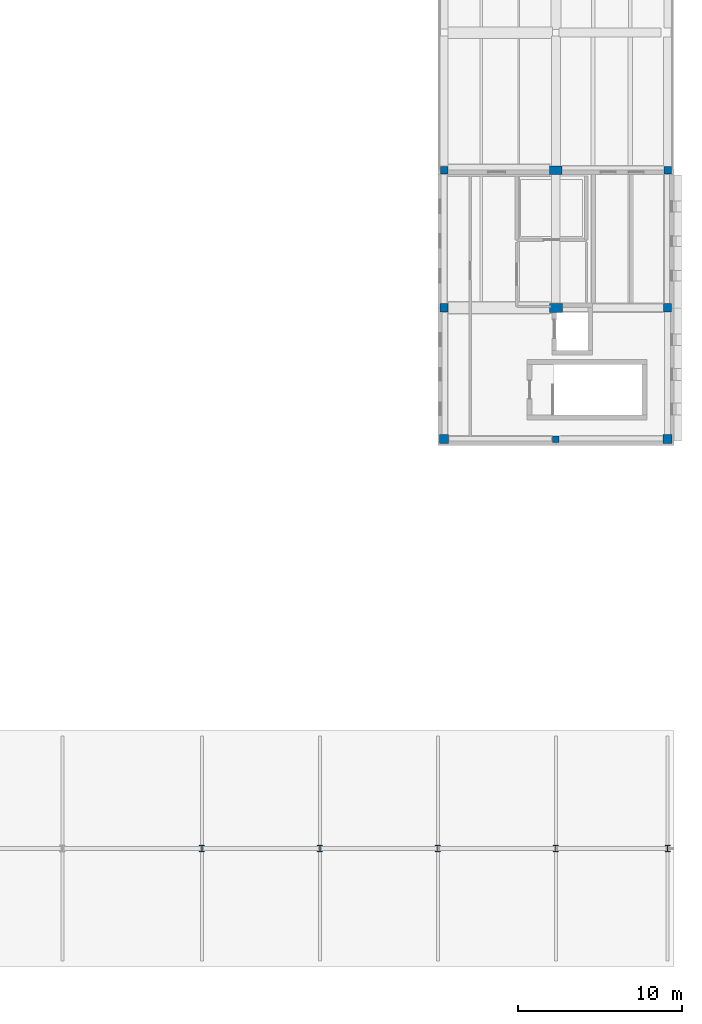
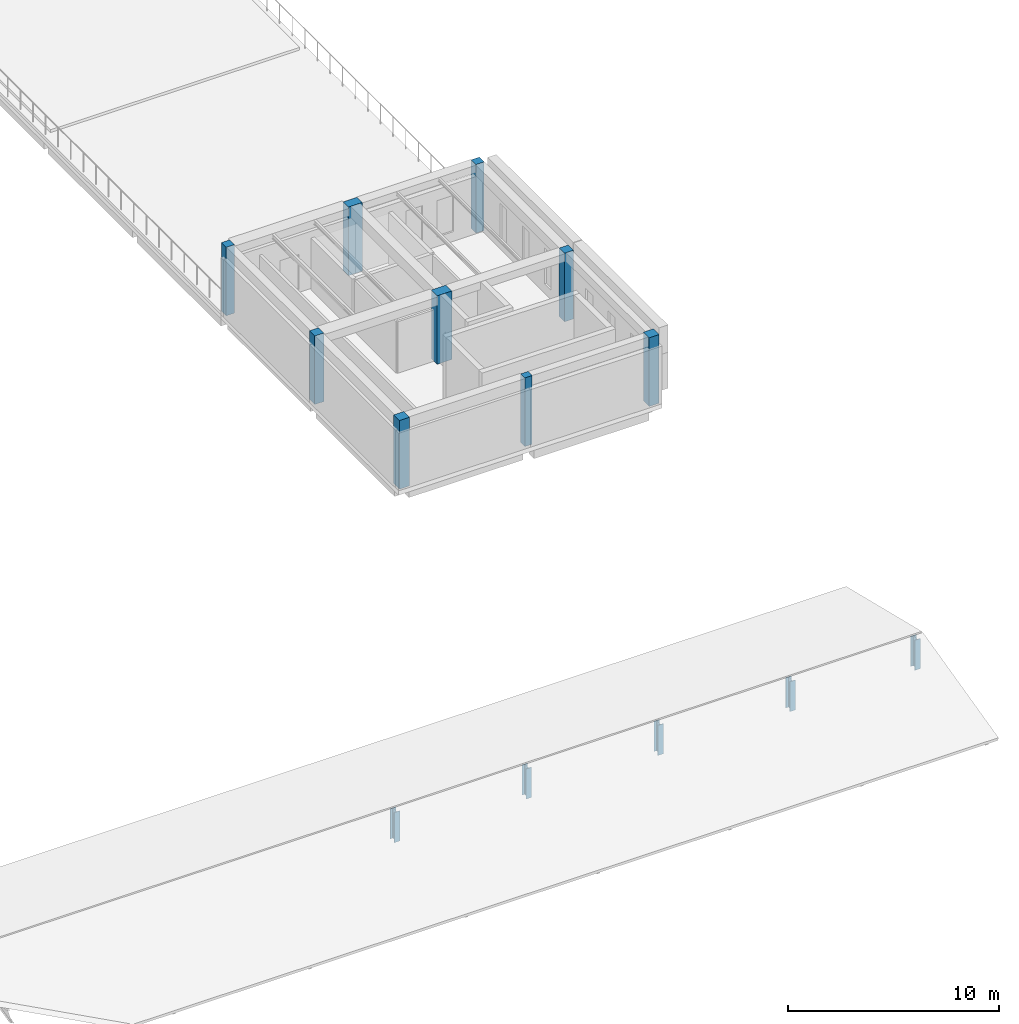
# One storey, part 4 of 34: 14 columns.
"""IFC4 building model written with IfcOpenShell, lengths in metres."""

import ifcopenshell
import ifcopenshell.guid

model = None  # the IFC model being written
_history = None  # IfcOwnerHistory: only IFC2X3 demands one
_inside = {}  # id of a spatial element -> (the spatial element, [elements in it])
_under = {}  # id of a project, library or spatial element -> (it, [spatial elements below it])
_declared = {}  # id of a project -> (the project, [libraries it declares])
_typed = {}  # id of a type object -> (the type object, [elements of that type])
_made_of = {}  # id of a material, layer set ... -> (it, [elements and type objects made of it])


def new_model(schema):
    """Start an empty IFC model of exactly this schema.

    Asked for "IFC4X3", IfcOpenShell would pick the latest addendum, in which some entities
    have other attributes; the version numbers below select the first issue.
    IFC2X3 requires an IfcOwnerHistory on every rooted entity: one is made here for all.
    """
    global model, _history
    if schema == "IFC4X3":
        model = ifcopenshell.file(schema_version=(4, 3, 0, 0))
    else:
        model = ifcopenshell.file(schema=schema)
    _inside.clear()
    _under.clear()
    _declared.clear()
    _typed.clear()
    _made_of.clear()
    _history = None
    if model.schema == "IFC2X3":
        org = make("IfcOrganization", Name="unknown")
        user = make(
            "IfcPersonAndOrganization",
            ThePerson=make("IfcPerson", FamilyName="unknown"),
            TheOrganization=org,
        )
        app = make(
            "IfcApplication",
            ApplicationDeveloper=org,
            Version="unknown",
            ApplicationFullName="unknown",
            ApplicationIdentifier="unknown",
        )
        _history = make(
            "IfcOwnerHistory",
            OwningUser=user,
            OwningApplication=app,
            ChangeAction="ADDED",
            CreationDate=0,
        )
    return model


def make(cls, **values):
    """One entity of the class cls with the attributes given. An attribute that is None is left unset."""
    return model.create_entity(
        cls, **{name: value for name, value in values.items() if value is not None}
    )


def rooted(cls, **values):
    """An entity with a GlobalId (a new one), such as an element, a storey or a relation."""
    return make(cls, GlobalId=ifcopenshell.guid.new(), OwnerHistory=_history, **values)


def si_unit(unit_type, name, prefix=None):
    """IfcSIUnit, for example si_unit("LENGTHUNIT", "METRE", prefix="MILLI")."""
    return make("IfcSIUnit", UnitType=unit_type, Prefix=prefix, Name=name)


def assignment(units):
    """IfcUnitAssignment: the units of a project."""
    return None if units is None else make("IfcUnitAssignment", Units=units)


def point(xyz):
    """IfcCartesianPoint."""
    return None if xyz is None else make("IfcCartesianPoint", Coordinates=xyz)


def direction(xyz):
    """IfcDirection."""
    return None if xyz is None else make("IfcDirection", DirectionRatios=xyz)


def frame(location, z_axis=None, x_axis=None):
    """IfcAxis2Placement3D, a coordinate frame: its origin and axes. An axis left out is left unset."""
    return make(
        "IfcAxis2Placement3D",
        Location=point(location),
        Axis=direction(z_axis),
        RefDirection=direction(x_axis),
    )


def frame_2d(location, x_axis=None):
    """IfcAxis2Placement2D, a coordinate frame in the plane: its origin and x axis."""
    return make(
        "IfcAxis2Placement2D", Location=point(location), RefDirection=direction(x_axis)
    )


def origin():
    """The frame at (0, 0, 0) with its axes left unset."""
    return frame((0.0, 0.0, 0.0))


def origin_2d():
    """The frame at (0, 0) in the plane with its x axis left unset."""
    return frame_2d((0.0, 0.0))


def place(relative_to, where):
    """IfcLocalPlacement: puts the frame where relative to a parent placement (None: the world)."""
    return make(
        "IfcLocalPlacement", PlacementRelTo=relative_to, RelativePlacement=where
    )


def context(
    kind, dimensions, precision=None, world=None, true_north=None, identifier=None
):
    """IfcGeometricRepresentationContext, for example the 3D "Model" context."""
    return make(
        "IfcGeometricRepresentationContext",
        ContextIdentifier=identifier,
        ContextType=kind,
        CoordinateSpaceDimension=dimensions,
        Precision=precision,
        WorldCoordinateSystem=world,
        TrueNorth=true_north,
    )


def subcontext(parent, identifier, kind, view, scale=None):
    """IfcGeometricRepresentationSubContext, for example "Body" below "Model"."""
    return make(
        "IfcGeometricRepresentationSubContext",
        ContextIdentifier=identifier,
        ContextType=kind,
        ParentContext=parent,
        TargetScale=scale,
        TargetView=view,
    )


def project(units=None, contexts=None):
    """IfcProject with its units and contexts."""
    return rooted(
        "IfcProject",
        Name="project",
        RepresentationContexts=contexts,
        UnitsInContext=assignment(units),
    )


def spatial(cls, under=None, at=None, **own):
    """A site, building, storey or space (cls), placed at a placement, below another one or the project."""
    s = rooted(cls, ObjectPlacement=at, **own)
    if under is not None:
        _under.setdefault(under.id(), (under, []))[1].append(s)
    return s


def profile(cls, at=None, kind="AREA", **sizes):
    """A parametric profile (cls). Its sizes go by their IFC names, for example OverallWidth=200.0."""
    return make(cls, ProfileType=kind, Position=at, **sizes)


def rectangle(**sizes):
    """IfcRectangleProfileDef."""
    return profile("IfcRectangleProfileDef", **sizes)


def i_section(**sizes):
    """IfcIShapeProfileDef."""
    return profile("IfcIShapeProfileDef", **sizes)


def extrude(swept, where, along, depth):
    """IfcExtrudedAreaSolid: the profile swept, set in the frame where, extruded along a direction by depth."""
    return make(
        "IfcExtrudedAreaSolid",
        SweptArea=swept,
        Position=where,
        ExtrudedDirection=direction(along),
        Depth=depth,
    )


def shape(context_of_items, identifier, shape_type, items):
    """IfcShapeRepresentation: the items that make up one representation, for example the "Body"."""
    return make(
        "IfcShapeRepresentation",
        ContextOfItems=context_of_items,
        RepresentationIdentifier=identifier,
        RepresentationType=shape_type,
        Items=items,
    )


def material(Name=None, Category=None):
    """IfcMaterial."""
    return make("IfcMaterial", Name=Name, Category=Category)


def material_profile(
    of_material, cross_section, Name=None, Category=None, Priority=None
):
    """IfcMaterialProfile: a cross section and its material."""
    return make(
        "IfcMaterialProfile",
        Name=Name,
        Material=of_material,
        Profile=cross_section,
        Priority=Priority,
        Category=Category,
    )


def profile_set(profiles, Name=None, composite=None):
    """IfcMaterialProfileSet."""
    return make(
        "IfcMaterialProfileSet",
        Name=Name,
        MaterialProfiles=profiles,
        CompositeProfile=composite,
    )


def made_of(thing, what):
    """Note that an element or type object is made of a material, layer set ...; save() writes the relation."""
    if what is not None:
        _made_of.setdefault(what.id(), (what, []))[1].append(thing)
    return thing


def type_object(cls, material=None, **own):
    """A type object (cls), such as IfcWallType, which elements share."""
    return made_of(rooted(cls, **own), material)


def element(
    cls,
    number,
    at=None,
    inside=None,
    cuts=None,
    type_object=None,
    material=None,
    context=None,
    identifier="Body",
    shape_type=None,
    held_by="IfcProductDefinitionShape",
    body=None,
    shapes=None,
    **own,
):
    """One element of the class cls, such as IfcWall. Its Tag is "e" and its number.

    at: its placement. inside: the storey or other place that contains it. cuts: it is an
    opening in that element (IfcRelVoidsElement). A single representation is given by context,
    identifier, shape_type and body (its items); several are given by shapes. held_by: the class
    of the entity that holds the representations. save() writes the other relations.
    """
    e = rooted(cls, Tag="e%d" % number, ObjectPlacement=at, **own)
    if body is not None:
        shapes = [shape(context, identifier, shape_type, body)]
    if shapes is not None:
        e.Representation = make(held_by, Representations=shapes)
    if inside is not None:
        _inside.setdefault(inside.id(), (inside, []))[1].append(e)
    if cuts is not None:
        rooted(
            "IfcRelVoidsElement", RelatingBuildingElement=cuts, RelatedOpeningElement=e
        )
    if type_object is not None:
        _typed.setdefault(type_object.id(), (type_object, []))[1].append(e)
    return made_of(e, material)


def aggregate(whole, parts):
    """IfcRelAggregates: a whole, such as a stair, and the parts it consists of."""
    return rooted("IfcRelAggregates", RelatingObject=whole, RelatedObjects=parts)


def save(model, path):
    """Write the relations noted so far, then the file.

    IfcRelAggregates (storeys below a building ...), IfcRelContainedInSpatialStructure (elements
    in a storey), IfcRelDefinesByType, IfcRelAssociatesMaterial and IfcRelDeclares: one each for
    every whole, place, type object, material and project.
    """
    for whole, parts in _under.values():
        aggregate(whole, parts)
    for where, things in _inside.values():
        rooted(
            "IfcRelContainedInSpatialStructure",
            RelatedElements=things,
            RelatingStructure=where,
        )
    for kind, things in _typed.values():
        rooted("IfcRelDefinesByType", RelatedObjects=things, RelatingType=kind)
    for what, things in _made_of.values():
        rooted("IfcRelAssociatesMaterial", RelatedObjects=things, RelatingMaterial=what)
    for by, libraries in _declared.values():
        rooted("IfcRelDeclares", RelatingContext=by, RelatedDefinitions=libraries)
    model.write(path)


model = new_model("IFC4")

# Units and contexts
model_context = context("Model", 3, precision=1e-05, world=origin(), true_north=direction((0.0, 1.0)))
body_context = subcontext(model_context, "Body", "Model", "MODEL_VIEW")
ifc_project = project(units=[si_unit("LENGTHUNIT", "METRE"), si_unit("AREAUNIT", "SQUARE_METRE"), si_unit("VOLUMEUNIT", "CUBIC_METRE"), si_unit("PLANEANGLEUNIT", "RADIAN"), si_unit("MASSUNIT", "GRAM", prefix="KILO")], contexts=[model_context])

# Site, building, storey
site_placement = place(None, origin())
site = spatial("IfcSite", under=ifc_project, at=site_placement, CompositionType="ELEMENT")
building_placement = place(site_placement, origin())
building = spatial("IfcBuilding", under=site, at=building_placement, Name="Vardoun Plaza Health Centre", CompositionType="ELEMENT")
storey_placement = place(building_placement, frame((0.0, 0.0, 12.89990234375)))
storey = spatial("IfcBuildingStorey", under=building, at=storey_placement, Name="L03", CompositionType="ELEMENT", Elevation=12.89990234375)

# Columns
ifc_material_1 = material(Name="Concrete C40/50", Category="concrete")
ifc_material_profile_1 = material_profile(ifc_material_1, rectangle(XDim=0.39990234375, YDim=0.39990234375, at=origin_2d()), Name="RC-COL 400x400")
ifc_profile_set_1 = profile_set([ifc_material_profile_1], Name="Concrete C40/50")
column_type_1 = type_object("IfcColumnType", Name="C-08", PredefinedType="COLUMN", material=ifc_profile_set_1)
column_1_placement = place(storey_placement, frame((158.10009765625, 36.679931640625, 0.0), z_axis=(0.0, 0.0, 1.0), x_axis=(1.0, 0.0, 0.0)))
element("IfcColumn", 1, at=column_1_placement, inside=storey, type_object=column_type_1, Name="V6 L03 Column C-V6-04", PredefinedType="COLUMN", context=body_context, shape_type="SweptSolid", body=[
    extrude(rectangle(XDim=0.39990234375, YDim=0.39990234375, at=origin_2d()), origin(), (0.0, 0.0, 1.0), 3.960205078125),
])
ifc_material_2 = material(Name="Concrete C40/50", Category="concrete")
ifc_material_profile_2 = material_profile(ifc_material_2, rectangle(XDim=0.449951171875, YDim=0.449951171875, at=origin_2d()), Name="RC-COL 450x450")
ifc_profile_set_2 = profile_set([ifc_material_profile_2], Name="Concrete C40/50")
column_type_2 = type_object("IfcColumnType", Name="C-07", PredefinedType="COLUMN", material=ifc_profile_set_2)
for number, where, z_axis, x_axis, name in (
    (2, (151.280029296875, 53.10009765625, 0.0), (0.0, 0.0, 1.0), (1.0, 0.0, 0.0), "V6 L03 Column C-V6-03"),
    (3, (164.919921875, 53.10009765625, 0.0), (0.0, 0.0, 1.0), (1.0, 0.0, 0.0), "V6 L03 Column C-V6-09"),
):
    element("IfcColumn", number, at=place(storey_placement, frame(where, z_axis=z_axis, x_axis=x_axis)), inside=storey, type_object=column_type_2, Name=name, PredefinedType="COLUMN", context=body_context, shape_type="SweptSolid", body=[
        extrude(rectangle(XDim=0.449951171875, YDim=0.449951171875, at=origin_2d()), origin(), (0.0, 0.0, 1.0), 3.960205078125),
    ])
ifc_material_3 = material(Name="Concrete C40/50", Category="concrete")
ifc_material_profile_3 = material_profile(ifc_material_3, rectangle(XDim=0.5, YDim=0.5, at=origin_2d()), Name="RC-COL 500x500")
ifc_profile_set_3 = profile_set([ifc_material_profile_3], Name="Concrete C40/50")
column_type_3 = type_object("IfcColumnType", Name="C-06", PredefinedType="COLUMN", material=ifc_profile_set_3)
for number, where, z_axis, x_axis, name in (
    (4, (151.280029296875, 44.699951171875, 0.0), (0.0, 0.0, 1.0), (1.0, 0.0, 0.0), "V6 L03 Column C-V6-02"),
    (5, (164.919921875, 44.699951171875, 0.0), (0.0, 0.0, 1.0), (1.0, 0.0, 0.0), "V6 L03 Column C-V6-08"),
):
    element("IfcColumn", number, at=place(storey_placement, frame(where, z_axis=z_axis, x_axis=x_axis)), inside=storey, type_object=column_type_3, Name=name, PredefinedType="COLUMN", context=body_context, shape_type="SweptSolid", body=[
        extrude(rectangle(XDim=0.5, YDim=0.5, at=origin_2d()), origin(), (0.0, 0.0, 1.0), 3.960205078125),
    ])
ifc_material_4 = material(Name="Concrete C40/50", Category="concrete")
ifc_material_profile_4 = material_profile(ifc_material_4, rectangle(XDim=0.550048828125, YDim=0.550048828125, at=origin_2d()), Name="RC-COL 550x550")
ifc_profile_set_4 = profile_set([ifc_material_profile_4], Name="Concrete C40/50")
column_type_4 = type_object("IfcColumnType", Name="C-05", PredefinedType="COLUMN", material=ifc_profile_set_4)
for number, where, z_axis, x_axis, name in (
    (6, (151.280029296875, 36.679931640625, 0.0), (0.0, 0.0, 1.0), (1.0, 0.0, 0.0), "V6 L03 Column C-V6-01"),
    (7, (164.919921875, 36.679931640625, 0.0), (0.0, 0.0, 1.0), (1.0, 0.0, 0.0), "V6 L03 Column C-V6-07"),
):
    element("IfcColumn", number, at=place(storey_placement, frame(where, z_axis=z_axis, x_axis=x_axis)), inside=storey, type_object=column_type_4, Name=name, PredefinedType="COLUMN", context=body_context, shape_type="SweptSolid", body=[
        extrude(rectangle(XDim=0.550048828125, YDim=0.550048828125, at=origin_2d()), origin(), (0.0, 0.0, 1.0), 3.960205078125),
    ])
ifc_material_5 = material(Name="Concrete C40/50", Category="concrete")
ifc_material_profile_5 = material_profile(ifc_material_5, rectangle(XDim=0.75, YDim=0.5, at=origin_2d()), Name="RC-COL 750x500")
ifc_profile_set_5 = profile_set([ifc_material_profile_5], Name="Concrete C40/50")
column_type_5 = type_object("IfcColumnType", Name="C-10", PredefinedType="COLUMN", material=ifc_profile_set_5)
column_2_placement = place(storey_placement, frame((158.10009765625, 53.10009765625, 0.0), z_axis=(0.0, 0.0, 1.0), x_axis=(1.0, 0.0, 0.0)))
element("IfcColumn", 8, at=column_2_placement, inside=storey, type_object=column_type_5, Name="V6 L03 Column C-V6-06", PredefinedType="COLUMN", context=body_context, shape_type="SweptSolid", body=[
    extrude(rectangle(XDim=0.75, YDim=0.5, at=origin_2d()), origin(), (0.0, 0.0, 1.0), 3.960205078125),
])
ifc_material_6 = material(Name="Concrete C40/50", Category="concrete")
ifc_material_profile_6 = material_profile(ifc_material_6, rectangle(XDim=0.800048828125, YDim=0.550048828125, at=origin_2d()), Name="RC-COL 800x550")
ifc_profile_set_6 = profile_set([ifc_material_profile_6], Name="Concrete C40/50")
column_type_6 = type_object("IfcColumnType", Name="C-09", PredefinedType="COLUMN", material=ifc_profile_set_6)
column_3_placement = place(storey_placement, frame((158.10009765625, 44.699951171875, 0.0), z_axis=(0.0, 0.0, 1.0), x_axis=(1.0, 0.0, 0.0)))
element("IfcColumn", 9, at=column_3_placement, inside=storey, type_object=column_type_6, Name="V6 L03 Column C-V6-05", PredefinedType="COLUMN", context=body_context, shape_type="SweptSolid", body=[
    extrude(rectangle(XDim=0.800048828125, YDim=0.550048828125, at=origin_2d()), origin(), (0.0, 0.0, 1.0), 3.960205078125),
])
ifc_material_7 = material(Name="Steel S355J2", Category="steel")
ifc_material_profile_7 = material_profile(ifc_material_7, i_section(OverallWidth=0.300048828125, OverallDepth=0.39990234375, WebThickness=0.013427734375, FlangeThickness=0.02392578125, FilletRadius=0.027099609375, at=origin_2d()), Name="HEB 400")
ifc_profile_set_7 = profile_set([ifc_material_profile_7], Name="Steel S355J2")
column_type_7 = type_object("IfcColumnType", Name="C-17", PredefinedType="COLUMN", material=ifc_profile_set_7)
for number, where, z_axis, x_axis, name in (
    (10, (136.5, 11.699951171875, -0.179931640625), (0.0, 0.0, 1.0), (1.0, 0.0, 0.0), "V5 Folded-Roof Ridge Post 5"),
    (11, (143.699951171875, 11.699951171875, -0.179931640625), (0.0, 0.0, 1.0), (1.0, 0.0, 0.0), "V5 Folded-Roof Ridge Post 6"),
    (12, (150.89990234375, 11.699951171875, -0.179931640625), (0.0, 0.0, 1.0), (1.0, 0.0, 0.0), "V5 Folded-Roof Ridge Post 7"),
    (13, (158.10009765625, 11.699951171875, -0.179931640625), (0.0, 0.0, 1.0), (1.0, 0.0, 0.0), "V5 Folded-Roof Ridge Post 8"),
    (14, (164.919921875, 11.699951171875, -0.179931640625), (0.0, 0.0, 1.0), (1.0, 0.0, 0.0), "V5 Folded-Roof Ridge Post 9"),
):
    element("IfcColumn", number, at=place(storey_placement, frame(where, z_axis=z_axis, x_axis=x_axis)), inside=storey, type_object=column_type_7, Name=name, PredefinedType="COLUMN", context=body_context, shape_type="SweptSolid", body=[
        extrude(i_section(OverallWidth=0.300048828125, OverallDepth=0.39990234375, WebThickness=0.013427734375, FlangeThickness=0.02392578125, FilletRadius=0.027099609375, at=origin_2d()), origin(), (0.0, 0.0, 1.0), 1.739990234375),
    ])

save(model, "model.ifc")
